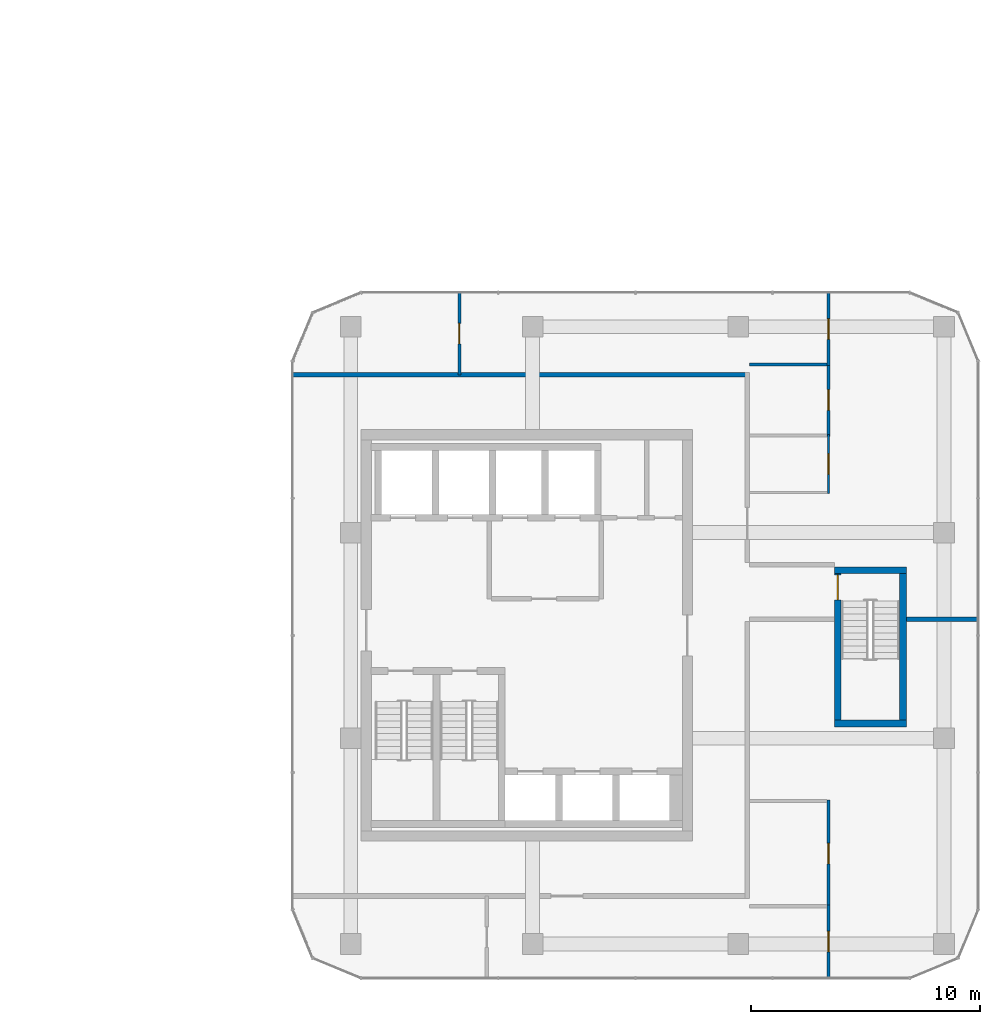
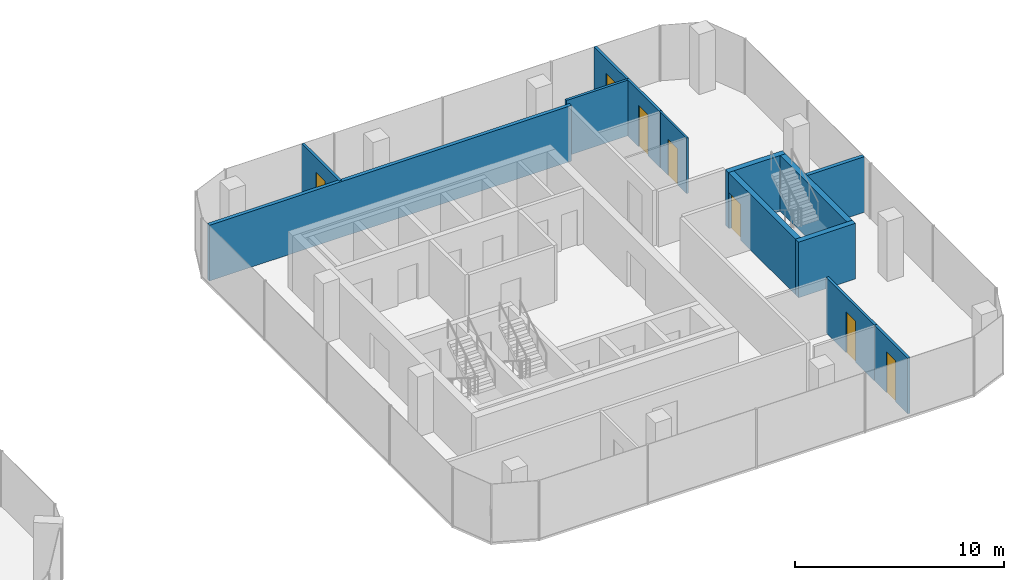
# One storey, part 18 of 22: 13 walls, 7 doors, 7 openings.
"""IFC4 building model written with IfcOpenShell, lengths in metres."""

import ifcopenshell
import ifcopenshell.guid

model = None  # the IFC model being written
_history = None  # IfcOwnerHistory: only IFC2X3 demands one
_inside = {}  # id of a spatial element -> (the spatial element, [elements in it])
_under = {}  # id of a project, library or spatial element -> (it, [spatial elements below it])
_declared = {}  # id of a project -> (the project, [libraries it declares])
_typed = {}  # id of a type object -> (the type object, [elements of that type])
_made_of = {}  # id of a material, layer set ... -> (it, [elements and type objects made of it])


def new_model(schema):
    """Start an empty IFC model of exactly this schema.

    Asked for "IFC4X3", IfcOpenShell would pick the latest addendum, in which some entities
    have other attributes; the version numbers below select the first issue.
    IFC2X3 requires an IfcOwnerHistory on every rooted entity: one is made here for all.
    """
    global model, _history
    if schema == "IFC4X3":
        model = ifcopenshell.file(schema_version=(4, 3, 0, 0))
    else:
        model = ifcopenshell.file(schema=schema)
    _inside.clear()
    _under.clear()
    _declared.clear()
    _typed.clear()
    _made_of.clear()
    _history = None
    if model.schema == "IFC2X3":
        org = make("IfcOrganization", Name="unknown")
        user = make(
            "IfcPersonAndOrganization",
            ThePerson=make("IfcPerson", FamilyName="unknown"),
            TheOrganization=org,
        )
        app = make(
            "IfcApplication",
            ApplicationDeveloper=org,
            Version="unknown",
            ApplicationFullName="unknown",
            ApplicationIdentifier="unknown",
        )
        _history = make(
            "IfcOwnerHistory",
            OwningUser=user,
            OwningApplication=app,
            ChangeAction="ADDED",
            CreationDate=0,
        )
    return model


def make(cls, **values):
    """One entity of the class cls with the attributes given. An attribute that is None is left unset."""
    return model.create_entity(
        cls, **{name: value for name, value in values.items() if value is not None}
    )


def rooted(cls, **values):
    """An entity with a GlobalId (a new one), such as an element, a storey or a relation."""
    return make(cls, GlobalId=ifcopenshell.guid.new(), OwnerHistory=_history, **values)


def si_unit(unit_type, name, prefix=None):
    """IfcSIUnit, for example si_unit("LENGTHUNIT", "METRE", prefix="MILLI")."""
    return make("IfcSIUnit", UnitType=unit_type, Prefix=prefix, Name=name)


def assignment(units):
    """IfcUnitAssignment: the units of a project."""
    return None if units is None else make("IfcUnitAssignment", Units=units)


def point(xyz):
    """IfcCartesianPoint."""
    return None if xyz is None else make("IfcCartesianPoint", Coordinates=xyz)


def direction(xyz):
    """IfcDirection."""
    return None if xyz is None else make("IfcDirection", DirectionRatios=xyz)


def frame(location, z_axis=None, x_axis=None):
    """IfcAxis2Placement3D, a coordinate frame: its origin and axes. An axis left out is left unset."""
    return make(
        "IfcAxis2Placement3D",
        Location=point(location),
        Axis=direction(z_axis),
        RefDirection=direction(x_axis),
    )


def frame_2d(location, x_axis=None):
    """IfcAxis2Placement2D, a coordinate frame in the plane: its origin and x axis."""
    return make(
        "IfcAxis2Placement2D", Location=point(location), RefDirection=direction(x_axis)
    )


def origin():
    """The frame at (0, 0, 0) with its axes left unset."""
    return frame((0.0, 0.0, 0.0))


def place(relative_to, where):
    """IfcLocalPlacement: puts the frame where relative to a parent placement (None: the world)."""
    return make(
        "IfcLocalPlacement", PlacementRelTo=relative_to, RelativePlacement=where
    )


def context(
    kind, dimensions, precision=None, world=None, true_north=None, identifier=None
):
    """IfcGeometricRepresentationContext, for example the 3D "Model" context."""
    return make(
        "IfcGeometricRepresentationContext",
        ContextIdentifier=identifier,
        ContextType=kind,
        CoordinateSpaceDimension=dimensions,
        Precision=precision,
        WorldCoordinateSystem=world,
        TrueNorth=true_north,
    )


def subcontext(parent, identifier, kind, view, scale=None):
    """IfcGeometricRepresentationSubContext, for example "Body" below "Model"."""
    return make(
        "IfcGeometricRepresentationSubContext",
        ContextIdentifier=identifier,
        ContextType=kind,
        ParentContext=parent,
        TargetScale=scale,
        TargetView=view,
    )


def project(units=None, contexts=None):
    """IfcProject with its units and contexts."""
    return rooted(
        "IfcProject",
        Name="project",
        RepresentationContexts=contexts,
        UnitsInContext=assignment(units),
    )


def spatial(cls, under=None, at=None, **own):
    """A site, building, storey or space (cls), placed at a placement, below another one or the project."""
    s = rooted(cls, ObjectPlacement=at, **own)
    if under is not None:
        _under.setdefault(under.id(), (under, []))[1].append(s)
    return s


def profile(cls, at=None, kind="AREA", **sizes):
    """A parametric profile (cls). Its sizes go by their IFC names, for example OverallWidth=200.0."""
    return make(cls, ProfileType=kind, Position=at, **sizes)


def rectangle(**sizes):
    """IfcRectangleProfileDef."""
    return profile("IfcRectangleProfileDef", **sizes)


def extrude(swept, where, along, depth):
    """IfcExtrudedAreaSolid: the profile swept, set in the frame where, extruded along a direction by depth."""
    return make(
        "IfcExtrudedAreaSolid",
        SweptArea=swept,
        Position=where,
        ExtrudedDirection=direction(along),
        Depth=depth,
    )


def shape(context_of_items, identifier, shape_type, items):
    """IfcShapeRepresentation: the items that make up one representation, for example the "Body"."""
    return make(
        "IfcShapeRepresentation",
        ContextOfItems=context_of_items,
        RepresentationIdentifier=identifier,
        RepresentationType=shape_type,
        Items=items,
    )


def material(Name=None, Category=None):
    """IfcMaterial."""
    return make("IfcMaterial", Name=Name, Category=Category)


def layer(
    of_material, thickness, ventilated=None, Name=None, Category=None, Priority=None
):
    """IfcMaterialLayer: one layer of a wall or slab, of a material (None: an air gap)."""
    return make(
        "IfcMaterialLayer",
        Material=of_material,
        LayerThickness=thickness,
        IsVentilated=ventilated,
        Name=Name,
        Category=Category,
        Priority=Priority,
    )


def layer_set(layers, Name=None):
    """IfcMaterialLayerSet."""
    return make("IfcMaterialLayerSet", MaterialLayers=layers, LayerSetName=Name)


def made_of(thing, what):
    """Note that an element or type object is made of a material, layer set ...; save() writes the relation."""
    if what is not None:
        _made_of.setdefault(what.id(), (what, []))[1].append(thing)
    return thing


def type_object(cls, material=None, **own):
    """A type object (cls), such as IfcWallType, which elements share."""
    return made_of(rooted(cls, **own), material)


def element(
    cls,
    number,
    at=None,
    inside=None,
    cuts=None,
    type_object=None,
    material=None,
    context=None,
    identifier="Body",
    shape_type=None,
    held_by="IfcProductDefinitionShape",
    body=None,
    shapes=None,
    **own,
):
    """One element of the class cls, such as IfcWall. Its Tag is "e" and its number.

    at: its placement. inside: the storey or other place that contains it. cuts: it is an
    opening in that element (IfcRelVoidsElement). A single representation is given by context,
    identifier, shape_type and body (its items); several are given by shapes. held_by: the class
    of the entity that holds the representations. save() writes the other relations.
    """
    e = rooted(cls, Tag="e%d" % number, ObjectPlacement=at, **own)
    if body is not None:
        shapes = [shape(context, identifier, shape_type, body)]
    if shapes is not None:
        e.Representation = make(held_by, Representations=shapes)
    if inside is not None:
        _inside.setdefault(inside.id(), (inside, []))[1].append(e)
    if cuts is not None:
        rooted(
            "IfcRelVoidsElement", RelatingBuildingElement=cuts, RelatedOpeningElement=e
        )
    if type_object is not None:
        _typed.setdefault(type_object.id(), (type_object, []))[1].append(e)
    return made_of(e, material)


def fill(opening, filler):
    """IfcRelFillsElement: the door or window that sits in an opening."""
    return rooted(
        "IfcRelFillsElement",
        RelatingOpeningElement=opening,
        RelatedBuildingElement=filler,
    )


def aggregate(whole, parts):
    """IfcRelAggregates: a whole, such as a stair, and the parts it consists of."""
    return rooted("IfcRelAggregates", RelatingObject=whole, RelatedObjects=parts)


def save(model, path):
    """Write the relations noted so far, then the file.

    IfcRelAggregates (storeys below a building ...), IfcRelContainedInSpatialStructure (elements
    in a storey), IfcRelDefinesByType, IfcRelAssociatesMaterial and IfcRelDeclares: one each for
    every whole, place, type object, material and project.
    """
    for whole, parts in _under.values():
        aggregate(whole, parts)
    for where, things in _inside.values():
        rooted(
            "IfcRelContainedInSpatialStructure",
            RelatedElements=things,
            RelatingStructure=where,
        )
    for kind, things in _typed.values():
        rooted("IfcRelDefinesByType", RelatedObjects=things, RelatingType=kind)
    for what, things in _made_of.values():
        rooted("IfcRelAssociatesMaterial", RelatedObjects=things, RelatingMaterial=what)
    for by, libraries in _declared.values():
        rooted("IfcRelDeclares", RelatingContext=by, RelatedDefinitions=libraries)
    model.write(path)


model = new_model("IFC4")

# Units and contexts
model_context = context("Model", 3, precision=1e-05, world=origin(), true_north=direction((0.0, 1.0)))
body_context = subcontext(model_context, "Body", "Model", "MODEL_VIEW")
ifc_project = project(units=[si_unit("LENGTHUNIT", "METRE"), si_unit("AREAUNIT", "SQUARE_METRE"), si_unit("VOLUMEUNIT", "CUBIC_METRE"), si_unit("PLANEANGLEUNIT", "RADIAN"), si_unit("MASSUNIT", "GRAM", prefix="KILO")], contexts=[model_context])

# Site, building, storey
site_placement = place(None, origin())
site = spatial("IfcSite", under=ifc_project, at=site_placement, CompositionType="ELEMENT")
building_placement = place(site_placement, origin())
building = spatial("IfcBuilding", under=site, at=building_placement, Name="Plateau Cross Towers", CompositionType="ELEMENT")
storey_placement = place(building_placement, frame((0.0, 0.0, 65.300048828125)))
storey = spatial("IfcBuildingStorey", under=building, at=storey_placement, Name="L16", CompositionType="ELEMENT", Elevation=65.300048828125)

# Wall, opening, door
ifc_material_1 = material(Name="Concrete C60/75", Category="concrete")
ifc_layer_1 = layer(ifc_material_1, 0.300048828125)
ifc_layer_set_1 = layer_set([ifc_layer_1], Name="Concrete C60/75")
wall_type_1 = type_object("IfcWallType", Name="Core shaft wall 300", PredefinedType="SHEAR", material=ifc_layer_set_1)
wall_1_placement = place(storey_placement, frame((95.85009765625, 5.300048828125, 0.0), z_axis=(0.0, 0.0, 1.0), x_axis=(0.0, 1.0, 0.0)))
wall_1 = element("IfcWall", 1, at=wall_1_placement, inside=storey, type_object=wall_type_1, Name="B-sb3-W@L16", PredefinedType="SHEAR", context=body_context, shape_type="SweptSolid", body=[
    extrude(rectangle(XDim=6.39990234375, YDim=0.300048828125, at=frame_2d((3.199951171875, 0.0))), origin(), (0.0, 0.0, 1.0), 3.25),
])
opening_1_placement = place(wall_1_placement, frame((5.25, 0.0, 0.0)))
opening_1 = element("IfcOpeningElement", 2, at=opening_1_placement, cuts=wall_1, Name="Opening SD", PredefinedType="OPENING", context=body_context, shape_type="SweptSolid", body=[
    extrude(rectangle(XDim=1.10009765625, YDim=2.10009765625, at=frame_2d((0.550048828125, 1.050048828125))), frame((0.0, 0.159912109375, 0.0), z_axis=(0.0, -1.0, 0.0), x_axis=(1.0, 0.0, 0.0)), (0.0, 0.0, 1.0), 0.320068359375),
])
ifc_material_2 = material(Name="Steel, fire-resisting leaf", Category="steel")
door_type_1 = type_object("IfcDoorType", Name="Stair door 1100", OperationType="NOTDEFINED", PredefinedType="DOOR", material=ifc_material_2)
door_1_placement = place(opening_1_placement, origin())
door_1 = element("IfcDoor", 3, at=door_1_placement, inside=storey, type_object=door_type_1, Name="Stair door SD", OperationType="SINGLE_SWING_LEFT", OverallHeight=2.10009765625, OverallWidth=1.10009765625, PredefinedType="DOOR", context=body_context, shape_type="SweptSolid", body=[
    extrude(rectangle(XDim=1.10009765625, YDim=2.10009765625, at=frame_2d((0.550048828125, 1.050048828125))), frame((0.0, 0.02490234375, 0.0), z_axis=(0.0, -1.0, 0.0), x_axis=(1.0, 0.0, 0.0)), (0.0, 0.0, 1.0), 0.050048828125),
])
fill(opening_1, door_1)

# Walls
wall_2_placement = place(storey_placement, frame((98.699951171875, 5.300048828125, 0.0), z_axis=(0.0, 0.0, 1.0), x_axis=(0.0, 1.0, 0.0)))
element("IfcWall", 4, at=wall_2_placement, inside=storey, type_object=wall_type_1, Name="B-sb3-E@L16", PredefinedType="SHEAR", context=body_context, shape_type="SweptSolid", body=[
    extrude(rectangle(XDim=6.39990234375, YDim=0.300048828125, at=frame_2d((3.199951171875, 0.0))), origin(), (0.0, 0.0, 1.0), 3.25),
])
for number, where, z_axis, x_axis, name in (
    (5, (95.699951171875, 5.14990234375, 0.0), (0.0, 0.0, 1.0), (1.0, 0.0, 0.0), "B-sb3-S@L16"),
    (6, (95.699951171875, 11.85009765625, 0.0), (0.0, 0.0, 1.0), (1.0, 0.0, 0.0), "B-sb3-N@L16"),
):
    element("IfcWall", number, at=place(storey_placement, frame(where, z_axis=z_axis, x_axis=x_axis)), inside=storey, type_object=wall_type_1, Name=name, PredefinedType="SHEAR", context=body_context, shape_type="SweptSolid", body=[
        extrude(rectangle(XDim=3.150146484375, YDim=0.300048828125, at=frame_2d((1.5751953125, 0.0))), origin(), (0.0, 0.0, 1.0), 3.25),
    ])
ifc_material_3 = material(Name="Gypsum board on steel studs, two layers each side", Category="steel")
ifc_layer_2 = layer(ifc_material_3, 0.199951171875)
ifc_layer_set_2 = layer_set([ifc_layer_2], Name="Gypsum board on steel studs, two layers each side")
wall_type_2 = type_object("IfcWallType", Name="Corridor wall 200", PredefinedType="PARTITIONING", material=ifc_layer_set_2)
wall_3_placement = place(storey_placement, frame((72.0, 20.39990234375, 0.0), z_axis=(0.0, 0.0, 1.0), x_axis=(1.0, 0.0, 0.0)))
element("IfcWall", 7, at=wall_3_placement, inside=storey, type_object=wall_type_2, Name="Ring wall", PredefinedType="PARTITIONING", context=body_context, shape_type="SweptSolid", body=[
    extrude(rectangle(XDim=20.0, YDim=0.199951171875, at=frame_2d((10.0, 0.0))), origin(), (0.0, 0.0, 1.0), 3.25),
])

# Wall, opening, door
ifc_material_4 = material(Name="Gypsum board on staggered steel studs, mineral wool, two layers each side", Category="steel")
ifc_layer_3 = layer(ifc_material_4, 0.139892578125)
ifc_layer_set_3 = layer_set([ifc_layer_3], Name="Gypsum board on staggered steel studs, mineral wool, two layers each side")
wall_type_3 = type_object("IfcWallType", Name="Meeting room acoustic partition 140", PredefinedType="PARTITIONING", material=ifc_layer_set_3)
wall_4_placement = place(storey_placement, frame((95.449951171875, -6.0, 0.0), z_axis=(0.0, 0.0, 1.0), x_axis=(0.0, 1.0, 0.0)))
wall_4 = element("IfcWall", 8, at=wall_4_placement, inside=storey, type_object=wall_type_3, Name="Acoustic wall", PredefinedType="PARTITIONING", context=body_context, shape_type="SweptSolid", body=[
    extrude(rectangle(XDim=3.199951171875, YDim=0.139892578125, at=frame_2d((1.60009765625, 0.0))), origin(), (0.0, 0.0, 1.0), 3.25),
])
opening_2_placement = place(wall_4_placement, frame((1.14990234375, 0.0, 0.0)))
opening_2 = element("IfcOpeningElement", 9, at=opening_2_placement, cuts=wall_4, Name="Opening D-BM9", PredefinedType="OPENING", context=body_context, shape_type="SweptSolid", body=[
    extrude(rectangle(XDim=0.89990234375, YDim=2.39990234375, at=frame_2d((0.449951171875, 1.199951171875))), frame((0.0, 0.079833984375, 0.0), z_axis=(0.0, -1.0, 0.0), x_axis=(1.0, 0.0, 0.0)), (0.0, 0.0, 1.0), 0.159912109375),
])
ifc_material_5 = material(Name="Timber leaf, full height", Category="wood")
door_type_2 = type_object("IfcDoorType", Name="Meeting room door 900x2400", OperationType="NOTDEFINED", PredefinedType="DOOR", material=ifc_material_5)
door_2_placement = place(opening_2_placement, origin())
door_2 = element("IfcDoor", 10, at=door_2_placement, inside=storey, type_object=door_type_2, Name="Door D-BM9", OperationType="SINGLE_SWING_LEFT", OverallHeight=2.39990234375, OverallWidth=0.89990234375, PredefinedType="DOOR", context=body_context, shape_type="SweptSolid", body=[
    extrude(rectangle(XDim=0.89990234375, YDim=2.39990234375, at=frame_2d((0.449951171875, 1.199951171875))), frame((0.0, 0.02490234375, 0.0), z_axis=(0.0, -1.0, 0.0), x_axis=(1.0, 0.0, 0.0)), (0.0, 0.0, 1.0), 0.050048828125),
])
fill(opening_2, door_2)

wall_5_placement = place(storey_placement, frame((95.449951171875, -2.89990234375, 0.0), z_axis=(0.0, 0.0, 1.0), x_axis=(0.0, 1.0, 0.0)))
wall_5 = element("IfcWall", 11, at=wall_5_placement, inside=storey, type_object=wall_type_3, Name="Acoustic wall", PredefinedType="PARTITIONING", context=body_context, shape_type="SweptSolid", body=[
    extrude(rectangle(XDim=4.699951171875, YDim=0.139892578125, at=frame_2d((2.35009765625, 0.0))), origin(), (0.0, 0.0, 1.0), 3.25),
])
opening_3_placement = place(wall_5_placement, frame((1.89990234375, 0.0, 0.0)))
opening_3 = element("IfcOpeningElement", 12, at=opening_3_placement, cuts=wall_5, Name="Opening D-BM9", PredefinedType="OPENING", context=body_context, shape_type="SweptSolid", body=[
    extrude(rectangle(XDim=0.89990234375, YDim=2.39990234375, at=frame_2d((0.449951171875, 1.199951171875))), frame((0.0, 0.079833984375, 0.0), z_axis=(0.0, -1.0, 0.0), x_axis=(1.0, 0.0, 0.0)), (0.0, 0.0, 1.0), 0.159912109375),
])
door_3_placement = place(opening_3_placement, origin())
door_3 = element("IfcDoor", 13, at=door_3_placement, inside=storey, type_object=door_type_2, Name="Door D-BM9", OperationType="SINGLE_SWING_LEFT", OverallHeight=2.39990234375, OverallWidth=0.89990234375, PredefinedType="DOOR", context=body_context, shape_type="SweptSolid", body=[
    extrude(rectangle(XDim=0.89990234375, YDim=2.39990234375, at=frame_2d((0.449951171875, 1.199951171875))), frame((0.0, 0.02490234375, 0.0), z_axis=(0.0, -1.0, 0.0), x_axis=(1.0, 0.0, 0.0)), (0.0, 0.0, 1.0), 0.050048828125),
])
fill(opening_3, door_3)

wall_6_placement = place(storey_placement, frame((95.449951171875, 20.800048828125, 0.0), z_axis=(0.0, 0.0, 1.0), x_axis=(0.0, 1.0, 0.0)))
wall_6 = element("IfcWall", 14, at=wall_6_placement, inside=storey, type_object=wall_type_3, Name="Acoustic wall", PredefinedType="PARTITIONING", context=body_context, shape_type="SweptSolid", body=[
    extrude(rectangle(XDim=3.199951171875, YDim=0.139892578125, at=frame_2d((1.60009765625, 0.0))), origin(), (0.0, 0.0, 1.0), 3.25),
])
opening_4_placement = place(wall_6_placement, frame((1.14990234375, 0.0, 0.0)))
opening_4 = element("IfcOpeningElement", 15, at=opening_4_placement, cuts=wall_6, Name="Opening D-BM9", PredefinedType="OPENING", context=body_context, shape_type="SweptSolid", body=[
    extrude(rectangle(XDim=0.89990234375, YDim=2.39990234375, at=frame_2d((0.449951171875, 1.199951171875))), frame((0.0, 0.079833984375, 0.0), z_axis=(0.0, -1.0, 0.0), x_axis=(1.0, 0.0, 0.0)), (0.0, 0.0, 1.0), 0.159912109375),
])
door_4_placement = place(opening_4_placement, origin())
door_4 = element("IfcDoor", 16, at=door_4_placement, inside=storey, type_object=door_type_2, Name="Door D-BM9", OperationType="SINGLE_SWING_LEFT", OverallHeight=2.39990234375, OverallWidth=0.89990234375, PredefinedType="DOOR", context=body_context, shape_type="SweptSolid", body=[
    extrude(rectangle(XDim=0.89990234375, YDim=2.39990234375, at=frame_2d((0.449951171875, 1.199951171875))), frame((0.0, 0.02490234375, 0.0), z_axis=(0.0, -1.0, 0.0), x_axis=(1.0, 0.0, 0.0)), (0.0, 0.0, 1.0), 0.050048828125),
])
fill(opening_4, door_4)

# Wall
wall_7_placement = place(storey_placement, frame((92.0, 20.85009765625, 0.0), z_axis=(0.0, 0.0, 1.0), x_axis=(1.0, 0.0, 0.0)))
element("IfcWall", 17, at=wall_7_placement, inside=storey, type_object=wall_type_3, Name="Acoustic wall", PredefinedType="PARTITIONING", context=body_context, shape_type="SweptSolid", body=[
    extrude(rectangle(XDim=3.3798828125, YDim=0.139892578125, at=frame_2d((1.68994140625, 0.0))), origin(), (0.0, 0.0, 1.0), 3.25),
])

# Wall, opening, door
wall_8_placement = place(storey_placement, frame((95.449951171875, 17.699951171875, 0.0), z_axis=(0.0, 0.0, 1.0), x_axis=(0.0, 1.0, 0.0)))
wall_8 = element("IfcWall", 18, at=wall_8_placement, inside=storey, type_object=wall_type_3, Name="Acoustic wall", PredefinedType="PARTITIONING", context=body_context, shape_type="SweptSolid", body=[
    extrude(rectangle(XDim=3.199951171875, YDim=0.139892578125, at=frame_2d((1.60009765625, 0.0))), origin(), (0.0, 0.0, 1.0), 3.25),
])
opening_5_placement = place(wall_8_placement, frame((1.14990234375, 0.0, 0.0)))
opening_5 = element("IfcOpeningElement", 19, at=opening_5_placement, cuts=wall_8, Name="Opening D-BM9", PredefinedType="OPENING", context=body_context, shape_type="SweptSolid", body=[
    extrude(rectangle(XDim=0.89990234375, YDim=2.39990234375, at=frame_2d((0.449951171875, 1.199951171875))), frame((0.0, 0.079833984375, 0.0), z_axis=(0.0, -1.0, 0.0), x_axis=(1.0, 0.0, 0.0)), (0.0, 0.0, 1.0), 0.159912109375),
])
door_5_placement = place(opening_5_placement, origin())
door_5 = element("IfcDoor", 20, at=door_5_placement, inside=storey, type_object=door_type_2, Name="Door D-BM9", OperationType="SINGLE_SWING_LEFT", OverallHeight=2.39990234375, OverallWidth=0.89990234375, PredefinedType="DOOR", context=body_context, shape_type="SweptSolid", body=[
    extrude(rectangle(XDim=0.89990234375, YDim=2.39990234375, at=frame_2d((0.449951171875, 1.199951171875))), frame((0.0, 0.02490234375, 0.0), z_axis=(0.0, -1.0, 0.0), x_axis=(1.0, 0.0, 0.0)), (0.0, 0.0, 1.0), 0.050048828125),
])
fill(opening_5, door_5)

wall_9_placement = place(storey_placement, frame((79.300048828125, 20.39990234375, 0.0), z_axis=(0.0, 0.0, 1.0), x_axis=(0.0, 1.0, 0.0)))
wall_9 = element("IfcWall", 21, at=wall_9_placement, inside=storey, type_object=wall_type_3, Name="Acoustic wall", PredefinedType="PARTITIONING", context=body_context, shape_type="SweptSolid", body=[
    extrude(rectangle(XDim=3.60009765625, YDim=0.139892578125, at=frame_2d((1.800048828125, 0.0))), origin(), (0.0, 0.0, 1.0), 3.25),
])
opening_6_placement = place(wall_9_placement, frame((1.35009765625, 0.0, 0.0)))
opening_6 = element("IfcOpeningElement", 22, at=opening_6_placement, cuts=wall_9, Name="Opening D-BM9", PredefinedType="OPENING", context=body_context, shape_type="SweptSolid", body=[
    extrude(rectangle(XDim=0.89990234375, YDim=2.39990234375, at=frame_2d((0.449951171875, 1.199951171875))), frame((0.0, 0.079833984375, 0.0), z_axis=(0.0, -1.0, 0.0), x_axis=(1.0, 0.0, 0.0)), (0.0, 0.0, 1.0), 0.159912109375),
])
door_6_placement = place(opening_6_placement, origin())
door_6 = element("IfcDoor", 23, at=door_6_placement, inside=storey, type_object=door_type_2, Name="Door D-BM9", OperationType="SINGLE_SWING_LEFT", OverallHeight=2.39990234375, OverallWidth=0.89990234375, PredefinedType="DOOR", context=body_context, shape_type="SweptSolid", body=[
    extrude(rectangle(XDim=0.89990234375, YDim=2.39990234375, at=frame_2d((0.449951171875, 1.199951171875))), frame((0.0, 0.02490234375, 0.0), z_axis=(0.0, -1.0, 0.0), x_axis=(1.0, 0.0, 0.0)), (0.0, 0.0, 1.0), 0.050048828125),
])
fill(opening_6, door_6)

ifc_material_6 = material(Name="Gypsum board on steel studs", Category="steel")
ifc_layer_4 = layer(ifc_material_6, 0.10009765625)
ifc_layer_set_4 = layer_set([ifc_layer_4], Name="Gypsum board on steel studs")
wall_type_4 = type_object("IfcWallType", Name="Office partition 100", PredefinedType="PARTITIONING", material=ifc_layer_set_4)
wall_10_placement = place(storey_placement, frame((95.449951171875, 15.199951171875, 0.0), z_axis=(0.0, 0.0, 1.0), x_axis=(0.0, 1.0, 0.0)))
wall_10 = element("IfcWall", 24, at=wall_10_placement, inside=storey, type_object=wall_type_4, Name="Part wall", PredefinedType="PARTITIONING", context=body_context, shape_type="SweptSolid", body=[
    extrude(rectangle(XDim=2.60009765625, YDim=0.10009765625, at=frame_2d((1.300048828125, 0.0))), origin(), (0.0, 0.0, 1.0), 3.25),
])
opening_7_placement = place(wall_10_placement, frame((0.85009765625, 0.0, 0.0)))
opening_7 = element("IfcOpeningElement", 25, at=opening_7_placement, cuts=wall_10, Name="Opening D-BR9", PredefinedType="OPENING", context=body_context, shape_type="SweptSolid", body=[
    extrude(rectangle(XDim=0.89990234375, YDim=2.10009765625, at=frame_2d((0.449951171875, 1.050048828125))), frame((0.0, 0.06005859375, 0.0), z_axis=(0.0, -1.0, 0.0), x_axis=(1.0, 0.0, 0.0)), (0.0, 0.0, 1.0), 0.1201171875),
])
ifc_material_7 = material(Name="Timber leaf", Category="wood")
door_type_3 = type_object("IfcDoorType", Name="Office room door 900", OperationType="NOTDEFINED", PredefinedType="DOOR", material=ifc_material_7)
door_7_placement = place(opening_7_placement, origin())
door_7 = element("IfcDoor", 26, at=door_7_placement, inside=storey, type_object=door_type_3, Name="Door D-BR9", OperationType="SINGLE_SWING_LEFT", OverallHeight=2.10009765625, OverallWidth=0.89990234375, PredefinedType="DOOR", context=body_context, shape_type="SweptSolid", body=[
    extrude(rectangle(XDim=0.89990234375, YDim=2.10009765625, at=frame_2d((0.449951171875, 1.050048828125))), frame((0.0, 0.02490234375, 0.0), z_axis=(0.0, -1.0, 0.0), x_axis=(1.0, 0.0, 0.0)), (0.0, 0.0, 1.0), 0.050048828125),
])
fill(opening_7, door_7)

# Wall
ifc_layer_5 = layer(ifc_material_3, 0.199951171875)
ifc_layer_set_5 = layer_set([ifc_layer_5], Name="Gypsum board on steel studs, two layers each side")
wall_type_5 = type_object("IfcWallType", Name="Tenancy demising wall 200", PredefinedType="PARTITIONING", material=ifc_layer_set_5)
wall_11_placement = place(storey_placement, frame((98.85009765625, 9.699951171875, 0.0), z_axis=(0.0, 0.0, 1.0), x_axis=(1.0, 0.0, 0.0)))
element("IfcWall", 27, at=wall_11_placement, inside=storey, type_object=wall_type_5, Name="Demising wall", PredefinedType="PARTITIONING", context=body_context, shape_type="SweptSolid", body=[
    extrude(rectangle(XDim=3.14990234375, YDim=0.199951171875, at=frame_2d((1.574951171875, 0.0))), origin(), (0.0, 0.0, 1.0), 3.25),
])

save(model, "model.ifc")
